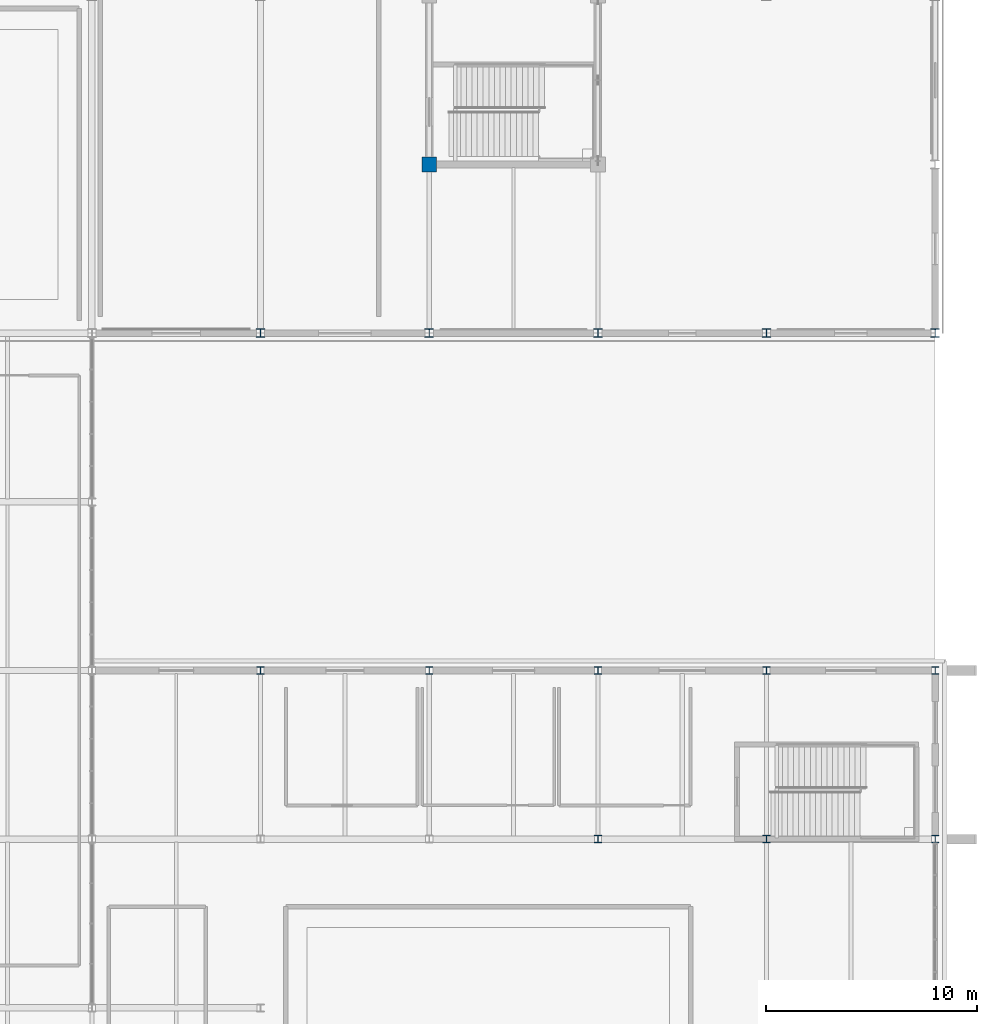
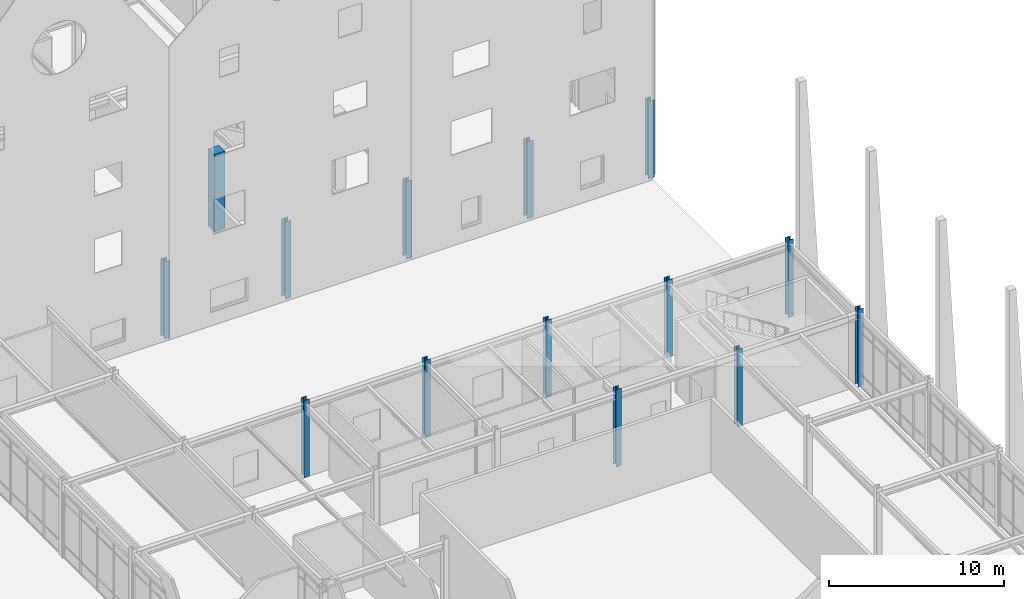
# One storey, part 18 of 119: 14 columns.
"""IFC4 building model written with IfcOpenShell, lengths in metres."""

from ifc_helpers import new_model, si_unit, direction, frame, origin, origin_2d, place, context, subcontext, project, spatial, rectangle, i_section, extrude, material, material_profile, profile_set, type_object, element, save


model = new_model("IFC4")

# Units and contexts
model_context = context("Model", 3, precision=1e-05, world=origin(), true_north=direction((0.0, 1.0)))
body_context = subcontext(model_context, "Body", "Model", "MODEL_VIEW")
ifc_project = project(units=[si_unit("LENGTHUNIT", "METRE"), si_unit("AREAUNIT", "SQUARE_METRE"), si_unit("VOLUMEUNIT", "CUBIC_METRE"), si_unit("PLANEANGLEUNIT", "RADIAN"), si_unit("MASSUNIT", "GRAM", prefix="KILO")], contexts=[model_context])

# Site, building, storey
site_placement = place(None, origin())
site = spatial("IfcSite", under=ifc_project, at=site_placement, CompositionType="ELEMENT")
building_placement = place(site_placement, origin())
building = spatial("IfcBuilding", under=site, at=building_placement, Name="Zhaolan Boulevard Law Courts", CompositionType="ELEMENT")
storey_placement = place(building_placement, origin())
storey = spatial("IfcBuildingStorey", under=building, at=storey_placement, Name="L00", CompositionType="ELEMENT", Elevation=0.0)

# Columns
ifc_material_1 = material(Name="Structural steel Q355B", Category="steel")
ifc_material_profile_1 = material_profile(ifc_material_1, i_section(OverallWidth=0.35009765625, OverallDepth=0.35009765625, WebThickness=0.011962890625, FlangeThickness=0.01904296875, FilletRadius=0.02001953125, at=origin_2d()), Name="HW350x350")
ifc_profile_set_1 = profile_set([ifc_material_profile_1], Name="Structural steel Q355B")
column_type_1 = type_object("IfcColumnType", Name="COL HW350", PredefinedType="COLUMN", material=ifc_profile_set_1)
for number, where, z_axis, x_axis, name in (
    (1, (132.0, 46.0, 0.0), (0.0, 0.0, 1.0), (1.0, 0.0, 0.0), "Column C-17G (L00)"),
    (2, (140.0, 46.0, 0.0), (0.0, 0.0, 1.0), (1.0, 0.0, 0.0), "Column C-18G (L00)"),
    (3, (148.0, 38.0, 0.0), (0.0, 0.0, 1.0), (1.0, 0.0, 0.0), "Column C-19F (L00)"),
    (4, (148.0, 46.0, 0.0), (0.0, 0.0, 1.0), (1.0, 0.0, 0.0), "Column C-19G (L00)"),
    (5, (156.0, 38.0, 0.0), (0.0, 0.0, 1.0), (1.0, 0.0, 0.0), "Column C-20F (L00)"),
    (6, (156.0, 46.0, 0.0), (0.0, 0.0, 1.0), (1.0, 0.0, 0.0), "Column C-20G (L00)"),
    (7, (164.0, 38.0, 0.0), (0.0, 0.0, 1.0), (1.0, 0.0, 0.0), "Column C-21F (L00)"),
    (8, (164.0, 46.0, 0.0), (0.0, 0.0, 1.0), (1.0, 0.0, 0.0), "Column C-21G (L00)"),
):
    element("IfcColumn", number, at=place(storey_placement, frame(where, z_axis=z_axis, x_axis=x_axis)), inside=storey, type_object=column_type_1, Name=name, PredefinedType="COLUMN", context=body_context, shape_type="SweptSolid", body=[
        extrude(i_section(OverallWidth=0.35009765625, OverallDepth=0.35009765625, WebThickness=0.011962890625, FlangeThickness=0.01904296875, FilletRadius=0.02001953125, at=origin_2d()), origin(), (0.0, 0.0, 1.0), 5.39990234375),
    ])
ifc_material_2 = material(Name="Structural steel Q390B", Category="steel")
ifc_material_profile_2 = material_profile(ifc_material_2, i_section(OverallWidth=0.39990234375, OverallDepth=0.39990234375, WebThickness=0.012939453125, FlangeThickness=0.02099609375, FilletRadius=0.02197265625, at=origin_2d()), Name="HW400x400")
ifc_profile_set_2 = profile_set([ifc_material_profile_2], Name="Structural steel Q390B")
column_type_2 = type_object("IfcColumnType", Name="COL HW400", PredefinedType="COLUMN", material=ifc_profile_set_2)
for number, where, z_axis, x_axis, name in (
    (9, (132.0, 62.0, 0.0), (0.0, 0.0, 1.0), (1.0, 0.0, 0.0), "Column C-17J (L00)"),
    (10, (140.0, 62.0, 0.0), (0.0, 0.0, 1.0), (1.0, 0.0, 0.0), "Column C-18J (L00)"),
    (11, (148.0, 62.0, 0.0), (0.0, 0.0, 1.0), (1.0, 0.0, 0.0), "Column C-19J (L00)"),
    (12, (156.0, 62.0, 0.0), (0.0, 0.0, 1.0), (1.0, 0.0, 0.0), "Column C-20J (L00)"),
    (13, (164.0, 62.0, 0.0), (0.0, 0.0, 1.0), (1.0, 0.0, 0.0), "Column C-21J (L00)"),
):
    element("IfcColumn", number, at=place(storey_placement, frame(where, z_axis=z_axis, x_axis=x_axis)), inside=storey, type_object=column_type_2, Name=name, PredefinedType="COLUMN", context=body_context, shape_type="SweptSolid", body=[
        extrude(i_section(OverallWidth=0.39990234375, OverallDepth=0.39990234375, WebThickness=0.012939453125, FlangeThickness=0.02099609375, FilletRadius=0.02197265625, at=origin_2d()), origin(), (0.0, 0.0, 1.0), 5.39990234375),
    ])
ifc_material_3 = material(Name="Concrete C50", Category="concrete")
ifc_material_profile_3 = material_profile(ifc_material_3, rectangle(XDim=0.699951171875, YDim=0.699951171875, at=origin_2d()), Name="RC700x700")
ifc_profile_set_3 = profile_set([ifc_material_profile_3], Name="Concrete C50")
column_type_3 = type_object("IfcColumnType", Name="COL RC700", PredefinedType="COLUMN", material=ifc_profile_set_3)
column_placement = place(storey_placement, frame((140.0, 70.0, 0.0), z_axis=(0.0, 0.0, 1.0), x_axis=(1.0, 0.0, 0.0)))
element("IfcColumn", 14, at=column_placement, inside=storey, type_object=column_type_3, Name="Column C-18K (L00)", PredefinedType="COLUMN", context=body_context, shape_type="SweptSolid", body=[
    extrude(rectangle(XDim=0.699951171875, YDim=0.699951171875, at=origin_2d()), origin(), (0.0, 0.0, 1.0), 5.39990234375),
])

save(model, "model.ifc")
